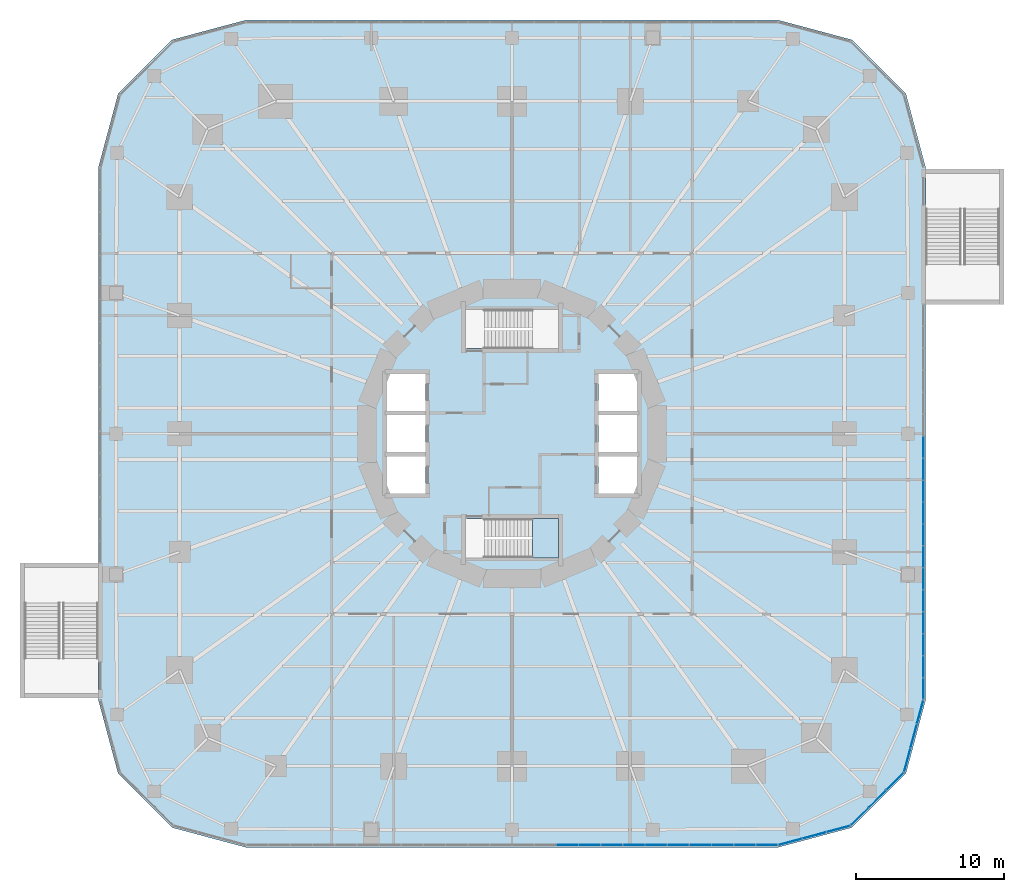
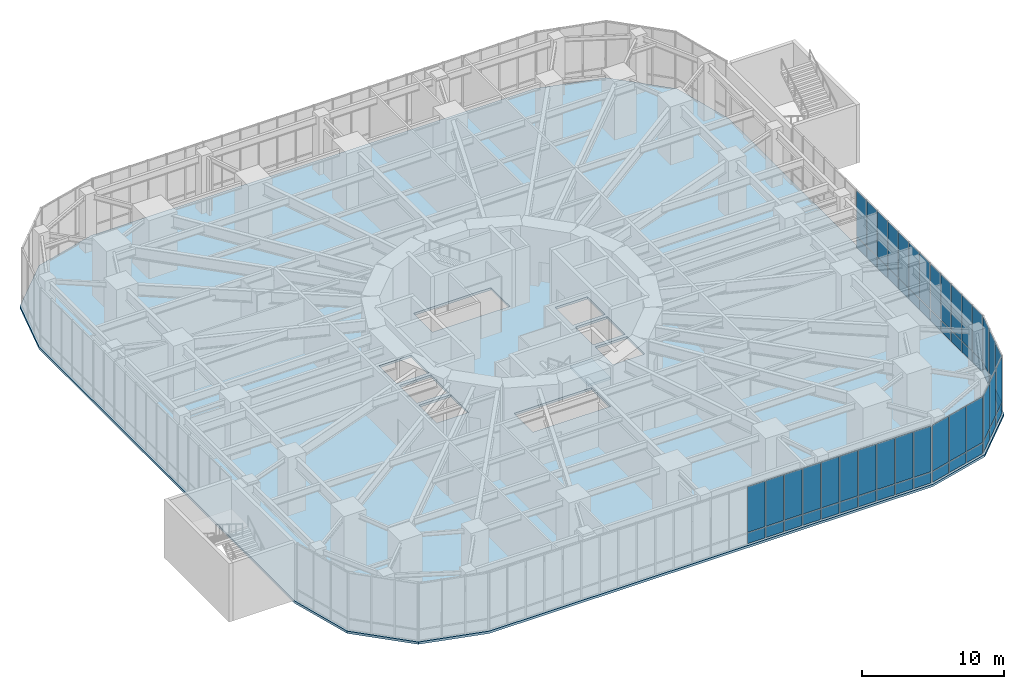
# One storey, part 17 of 24: 62 plates, 2 slabs, 6 elements without a shape of their own.
"""IFC4 building model written with IfcOpenShell, lengths in metres."""

from ifc_helpers import new_model, si_unit, direction, frame, origin, origin_2d, place, context, subcontext, project, spatial, polyline, rectangle, outline, extrude, material, layer, layer_set, type_object, element, aggregate, save


model = new_model("IFC4")

# Units and contexts
model_context = context("Model", 3, precision=1e-05, world=origin(), true_north=direction((0.0, 1.0)))
body_context = subcontext(model_context, "Body", "Model", "MODEL_VIEW")
ifc_project = project(units=[si_unit("LENGTHUNIT", "METRE"), si_unit("AREAUNIT", "SQUARE_METRE"), si_unit("VOLUMEUNIT", "CUBIC_METRE"), si_unit("PLANEANGLEUNIT", "RADIAN"), si_unit("MASSUNIT", "GRAM", prefix="KILO")], contexts=[model_context])

# Site, building, storey
site_placement = place(None, origin())
site = spatial("IfcSite", under=ifc_project, at=site_placement, CompositionType="ELEMENT")
building_placement = place(site_placement, origin())
building = spatial("IfcBuilding", under=site, at=building_placement, Name="Nakasero Lantern House", CompositionType="ELEMENT")
storey_placement = place(building_placement, frame((0.0, 0.0, 6.0)))
storey = spatial("IfcBuildingStorey", under=building, at=storey_placement, Name="L01", CompositionType="ELEMENT", Elevation=6.0)

# Slab
ifc_material_1 = material(Name="Concrete C35/45", Category="concrete")
ifc_layer_1 = layer(ifc_material_1, 0.199951171875)
ifc_layer_set_1 = layer_set([ifc_layer_1], Name="Composite floor slab 200")
slab_type_1 = type_object("IfcSlabType", Name="Composite floor slab 200", PredefinedType="FLOOR", material=ifc_layer_set_1)
slab_1_placement = place(storey_placement, frame((0.0, 0.0, -0.199951171875)))
element("IfcSlab", 1, at=slab_1_placement, inside=storey, type_object=slab_type_1, Name="Floor slab L01", PredefinedType="FLOOR", context=body_context, shape_type="SweptSolid", body=[
    extrude(outline(polyline([(28.0, 18.0), (26.66015625, 23.0), (23.0, 26.66015625), (18.0, 28.0), (-18.0, 28.0), (-23.0, 26.66015625), (-26.66015625, 23.0), (-28.0, 18.0), (-28.0, -18.0), (-26.66015625, -23.0), (-23.0, -26.66015625), (-18.0, -28.0), (18.0, -28.0), (23.0, -26.66015625), (26.66015625, -23.0), (28.0, -18.0), (28.0, 18.0)]), holes=[polyline([(-8.449951171875, -4.050048828125), (-5.85009765625, -4.050048828125), (-5.85009765625, -1.550048828125), (-8.449951171875, -1.550048828125), (-8.449951171875, -4.050048828125)]), polyline([(-8.449951171875, -1.25), (-5.85009765625, -1.25), (-5.85009765625, 1.25), (-8.449951171875, 1.25), (-8.449951171875, -1.25)]), polyline([(-8.449951171875, 1.550048828125), (-5.85009765625, 1.550048828125), (-5.85009765625, 4.050048828125), (-8.449951171875, 4.050048828125), (-8.449951171875, 1.550048828125)]), polyline([(5.85009765625, -4.050048828125), (8.449951171875, -4.050048828125), (8.449951171875, -1.550048828125), (5.85009765625, -1.550048828125), (5.85009765625, -4.050048828125)]), polyline([(5.85009765625, -1.25), (8.449951171875, -1.25), (8.449951171875, 1.25), (5.85009765625, 1.25), (5.85009765625, -1.25)]), polyline([(5.85009765625, 1.550048828125), (8.449951171875, 1.550048828125), (8.449951171875, 4.050048828125), (5.85009765625, 4.050048828125), (5.85009765625, 1.550048828125)]), polyline([(-3.14990234375, 5.75), (3.14990234375, 5.75), (3.14990234375, 8.39990234375), (-3.14990234375, 8.39990234375), (-3.14990234375, 5.75)]), polyline([(-3.14990234375, -8.39990234375), (3.14990234375, -8.39990234375), (3.14990234375, -5.75), (-3.14990234375, -5.75), (-3.14990234375, -8.39990234375)])]), origin(), (0.0, 0.0, 1.0), 0.199951171875),
])

# Curtain wall, plates
ifc_material_2 = material(Name="Aluminium 6063-T6 and glass", Category="aluminium")
curtain_wall_type = type_object("IfcCurtainWallType", Name="Podium curtain wall CW-2", PredefinedType="USERDEFINED", material=ifc_material_2)
curtain_wall_1_placement = place(storey_placement, origin())
curtain_wall_1 = element("IfcCurtainWall", 2, at=curtain_wall_1_placement, inside=storey, type_object=curtain_wall_type, Name="Curtain wall CW-2 L01", ObjectType="STICK CURTAIN WALL", PredefinedType="USERDEFINED")
ifc_material_3 = material(Name="Glass", Category="glass")
ifc_layer_2 = layer(ifc_material_3, 0.028076171875)
ifc_layer_set_2 = layer_set([ifc_layer_2], Name="Glazed panel CW-2")
plate_type = type_object("IfcPlateType", Name="Glazed panel CW-2", PredefinedType="CURTAIN_PANEL", material=ifc_layer_set_2)
plate_1_placement = place(storey_placement, frame((27.85009765625, -17.241943359375, 0.06005859375), z_axis=(0.0, 0.0, 1.0), x_axis=(0.0, 1.0, 0.0)))
plate_1 = element("IfcPlate", 3, at=plate_1_placement, type_object=plate_type, Name="CW-2 panel 1.1", PredefinedType="CURTAIN_PANEL", context=body_context, shape_type="SweptSolid", body=[
    extrude(rectangle(XDim=1.39599609375, YDim=0.028076171875, at=origin_2d()), origin(), (0.0, 0.0, 1.0), 0.909912109375),
])
plate_2_placement = place(storey_placement, frame((27.85009765625, -17.241943359375, 1.0302734375), z_axis=(0.0, 0.0, 1.0), x_axis=(0.0, 1.0, 0.0)))
plate_2 = element("IfcPlate", 4, at=plate_2_placement, type_object=plate_type, Name="CW-2 panel 1.2", PredefinedType="CURTAIN_PANEL", context=body_context, shape_type="SweptSolid", body=[
    extrude(rectangle(XDim=1.39599609375, YDim=0.028076171875, at=origin_2d()), origin(), (0.0, 0.0, 1.0), 3.909912109375),
])
plate_3_placement = place(storey_placement, frame((27.85009765625, -15.770751953125, 0.06005859375), z_axis=(0.0, 0.0, 1.0), x_axis=(0.0, 1.0, 0.0)))
plate_3 = element("IfcPlate", 5, at=plate_3_placement, type_object=plate_type, Name="CW-2 panel 2.1", PredefinedType="CURTAIN_PANEL", context=body_context, shape_type="SweptSolid", body=[
    extrude(rectangle(XDim=1.426025390625, YDim=0.028076171875, at=origin_2d()), origin(), (0.0, 0.0, 1.0), 0.909912109375),
])
plate_4_placement = place(storey_placement, frame((27.85009765625, -15.770751953125, 1.0302734375), z_axis=(0.0, 0.0, 1.0), x_axis=(0.0, 1.0, 0.0)))
plate_4 = element("IfcPlate", 6, at=plate_4_placement, type_object=plate_type, Name="CW-2 panel 2.2", PredefinedType="CURTAIN_PANEL", context=body_context, shape_type="SweptSolid", body=[
    extrude(rectangle(XDim=1.426025390625, YDim=0.028076171875, at=origin_2d()), origin(), (0.0, 0.0, 1.0), 3.909912109375),
])
plate_5_placement = place(storey_placement, frame((27.85009765625, -14.28466796875, 0.06005859375), z_axis=(0.0, 0.0, 1.0), x_axis=(0.0, 1.0, 0.0)))
plate_5 = element("IfcPlate", 7, at=plate_5_placement, type_object=plate_type, Name="CW-2 panel 3.1", PredefinedType="CURTAIN_PANEL", context=body_context, shape_type="SweptSolid", body=[
    extrude(rectangle(XDim=1.426025390625, YDim=0.028076171875, at=origin_2d()), origin(), (0.0, 0.0, 1.0), 0.909912109375),
])
plate_6_placement = place(storey_placement, frame((27.85009765625, -14.28466796875, 1.0302734375), z_axis=(0.0, 0.0, 1.0), x_axis=(0.0, 1.0, 0.0)))
plate_6 = element("IfcPlate", 8, at=plate_6_placement, type_object=plate_type, Name="CW-2 panel 3.2", PredefinedType="CURTAIN_PANEL", context=body_context, shape_type="SweptSolid", body=[
    extrude(rectangle(XDim=1.426025390625, YDim=0.028076171875, at=origin_2d()), origin(), (0.0, 0.0, 1.0), 3.909912109375),
])
plate_7_placement = place(storey_placement, frame((27.85009765625, -12.798583984375, 0.06005859375), z_axis=(0.0, 0.0, 1.0), x_axis=(0.0, 1.0, 0.0)))
plate_7 = element("IfcPlate", 9, at=plate_7_placement, type_object=plate_type, Name="CW-2 panel 4.1", PredefinedType="CURTAIN_PANEL", context=body_context, shape_type="SweptSolid", body=[
    extrude(rectangle(XDim=1.426025390625, YDim=0.028076171875, at=origin_2d()), origin(), (0.0, 0.0, 1.0), 0.909912109375),
])
plate_8_placement = place(storey_placement, frame((27.85009765625, -12.798583984375, 1.0302734375), z_axis=(0.0, 0.0, 1.0), x_axis=(0.0, 1.0, 0.0)))
plate_8 = element("IfcPlate", 10, at=plate_8_placement, type_object=plate_type, Name="CW-2 panel 4.2", PredefinedType="CURTAIN_PANEL", context=body_context, shape_type="SweptSolid", body=[
    extrude(rectangle(XDim=1.426025390625, YDim=0.028076171875, at=origin_2d()), origin(), (0.0, 0.0, 1.0), 3.909912109375),
])
plate_9_placement = place(storey_placement, frame((27.85009765625, -11.3125, 0.06005859375), z_axis=(0.0, 0.0, 1.0), x_axis=(0.0, 1.0, 0.0)))
plate_9 = element("IfcPlate", 11, at=plate_9_placement, type_object=plate_type, Name="CW-2 panel 5.1", PredefinedType="CURTAIN_PANEL", context=body_context, shape_type="SweptSolid", body=[
    extrude(rectangle(XDim=1.426025390625, YDim=0.028076171875, at=origin_2d()), origin(), (0.0, 0.0, 1.0), 0.909912109375),
])
plate_10_placement = place(storey_placement, frame((27.85009765625, -11.3125, 1.0302734375), z_axis=(0.0, 0.0, 1.0), x_axis=(0.0, 1.0, 0.0)))
plate_10 = element("IfcPlate", 12, at=plate_10_placement, type_object=plate_type, Name="CW-2 panel 5.2", PredefinedType="CURTAIN_PANEL", context=body_context, shape_type="SweptSolid", body=[
    extrude(rectangle(XDim=1.426025390625, YDim=0.028076171875, at=origin_2d()), origin(), (0.0, 0.0, 1.0), 3.909912109375),
])
plate_11_placement = place(storey_placement, frame((27.85009765625, -9.826416015625, 0.06005859375), z_axis=(0.0, 0.0, 1.0), x_axis=(0.0, 1.0, 0.0)))
plate_11 = element("IfcPlate", 13, at=plate_11_placement, type_object=plate_type, Name="CW-2 panel 6.1", PredefinedType="CURTAIN_PANEL", context=body_context, shape_type="SweptSolid", body=[
    extrude(rectangle(XDim=1.426025390625, YDim=0.028076171875, at=origin_2d()), origin(), (0.0, 0.0, 1.0), 0.909912109375),
])
plate_12_placement = place(storey_placement, frame((27.85009765625, -9.826416015625, 1.0302734375), z_axis=(0.0, 0.0, 1.0), x_axis=(0.0, 1.0, 0.0)))
plate_12 = element("IfcPlate", 14, at=plate_12_placement, type_object=plate_type, Name="CW-2 panel 6.2", PredefinedType="CURTAIN_PANEL", context=body_context, shape_type="SweptSolid", body=[
    extrude(rectangle(XDim=1.426025390625, YDim=0.028076171875, at=origin_2d()), origin(), (0.0, 0.0, 1.0), 3.909912109375),
])
plate_13_placement = place(storey_placement, frame((27.85009765625, -8.34033203125, 0.06005859375), z_axis=(0.0, 0.0, 1.0), x_axis=(0.0, 1.0, 0.0)))
plate_13 = element("IfcPlate", 15, at=plate_13_placement, type_object=plate_type, Name="CW-2 panel 7.1", PredefinedType="CURTAIN_PANEL", context=body_context, shape_type="SweptSolid", body=[
    extrude(rectangle(XDim=1.426025390625, YDim=0.028076171875, at=origin_2d()), origin(), (0.0, 0.0, 1.0), 0.909912109375),
])
plate_14_placement = place(storey_placement, frame((27.85009765625, -8.34033203125, 1.0302734375), z_axis=(0.0, 0.0, 1.0), x_axis=(0.0, 1.0, 0.0)))
plate_14 = element("IfcPlate", 16, at=plate_14_placement, type_object=plate_type, Name="CW-2 panel 7.2", PredefinedType="CURTAIN_PANEL", context=body_context, shape_type="SweptSolid", body=[
    extrude(rectangle(XDim=1.426025390625, YDim=0.028076171875, at=origin_2d()), origin(), (0.0, 0.0, 1.0), 3.909912109375),
])
plate_15_placement = place(storey_placement, frame((27.85009765625, -6.854248046875, 0.06005859375), z_axis=(0.0, 0.0, 1.0), x_axis=(0.0, 1.0, 0.0)))
plate_15 = element("IfcPlate", 17, at=plate_15_placement, type_object=plate_type, Name="CW-2 panel 8.1", PredefinedType="CURTAIN_PANEL", context=body_context, shape_type="SweptSolid", body=[
    extrude(rectangle(XDim=1.426025390625, YDim=0.028076171875, at=origin_2d()), origin(), (0.0, 0.0, 1.0), 0.909912109375),
])
plate_16_placement = place(storey_placement, frame((27.85009765625, -6.854248046875, 1.0302734375), z_axis=(0.0, 0.0, 1.0), x_axis=(0.0, 1.0, 0.0)))
plate_16 = element("IfcPlate", 18, at=plate_16_placement, type_object=plate_type, Name="CW-2 panel 8.2", PredefinedType="CURTAIN_PANEL", context=body_context, shape_type="SweptSolid", body=[
    extrude(rectangle(XDim=1.426025390625, YDim=0.028076171875, at=origin_2d()), origin(), (0.0, 0.0, 1.0), 3.909912109375),
])
plate_17_placement = place(storey_placement, frame((27.85009765625, -5.3681640625, 0.06005859375), z_axis=(0.0, 0.0, 1.0), x_axis=(0.0, 1.0, 0.0)))
plate_17 = element("IfcPlate", 19, at=plate_17_placement, type_object=plate_type, Name="CW-2 panel 9.1", PredefinedType="CURTAIN_PANEL", context=body_context, shape_type="SweptSolid", body=[
    extrude(rectangle(XDim=1.426025390625, YDim=0.028076171875, at=origin_2d()), origin(), (0.0, 0.0, 1.0), 0.909912109375),
])
plate_18_placement = place(storey_placement, frame((27.85009765625, -5.3681640625, 1.0302734375), z_axis=(0.0, 0.0, 1.0), x_axis=(0.0, 1.0, 0.0)))
plate_18 = element("IfcPlate", 20, at=plate_18_placement, type_object=plate_type, Name="CW-2 panel 9.2", PredefinedType="CURTAIN_PANEL", context=body_context, shape_type="SweptSolid", body=[
    extrude(rectangle(XDim=1.426025390625, YDim=0.028076171875, at=origin_2d()), origin(), (0.0, 0.0, 1.0), 3.909912109375),
])
plate_19_placement = place(storey_placement, frame((27.85009765625, -3.8818359375, 0.06005859375), z_axis=(0.0, 0.0, 1.0), x_axis=(0.0, 1.0, 0.0)))
plate_19 = element("IfcPlate", 21, at=plate_19_placement, type_object=plate_type, Name="CW-2 panel 10.1", PredefinedType="CURTAIN_PANEL", context=body_context, shape_type="SweptSolid", body=[
    extrude(rectangle(XDim=1.426025390625, YDim=0.028076171875, at=origin_2d()), origin(), (0.0, 0.0, 1.0), 0.909912109375),
])
plate_20_placement = place(storey_placement, frame((27.85009765625, -3.8818359375, 1.0302734375), z_axis=(0.0, 0.0, 1.0), x_axis=(0.0, 1.0, 0.0)))
plate_20 = element("IfcPlate", 22, at=plate_20_placement, type_object=plate_type, Name="CW-2 panel 10.2", PredefinedType="CURTAIN_PANEL", context=body_context, shape_type="SweptSolid", body=[
    extrude(rectangle(XDim=1.426025390625, YDim=0.028076171875, at=origin_2d()), origin(), (0.0, 0.0, 1.0), 3.909912109375),
])
plate_21_placement = place(storey_placement, frame((27.85009765625, -2.395751953125, 0.06005859375), z_axis=(0.0, 0.0, 1.0), x_axis=(0.0, 1.0, 0.0)))
plate_21 = element("IfcPlate", 23, at=plate_21_placement, type_object=plate_type, Name="CW-2 panel 11.1", PredefinedType="CURTAIN_PANEL", context=body_context, shape_type="SweptSolid", body=[
    extrude(rectangle(XDim=1.426025390625, YDim=0.028076171875, at=origin_2d()), origin(), (0.0, 0.0, 1.0), 0.909912109375),
])
plate_22_placement = place(storey_placement, frame((27.85009765625, -2.395751953125, 1.0302734375), z_axis=(0.0, 0.0, 1.0), x_axis=(0.0, 1.0, 0.0)))
plate_22 = element("IfcPlate", 24, at=plate_22_placement, type_object=plate_type, Name="CW-2 panel 11.2", PredefinedType="CURTAIN_PANEL", context=body_context, shape_type="SweptSolid", body=[
    extrude(rectangle(XDim=1.426025390625, YDim=0.028076171875, at=origin_2d()), origin(), (0.0, 0.0, 1.0), 3.909912109375),
])
plate_23_placement = place(storey_placement, frame((27.85009765625, -0.90966796875, 0.06005859375), z_axis=(0.0, 0.0, 1.0), x_axis=(0.0, 1.0, 0.0)))
plate_23 = element("IfcPlate", 25, at=plate_23_placement, type_object=plate_type, Name="CW-2 panel 12.1", PredefinedType="CURTAIN_PANEL", context=body_context, shape_type="SweptSolid", body=[
    extrude(rectangle(XDim=1.426025390625, YDim=0.028076171875, at=origin_2d()), origin(), (0.0, 0.0, 1.0), 0.909912109375),
])
plate_24_placement = place(storey_placement, frame((27.85009765625, -0.90966796875, 1.0302734375), z_axis=(0.0, 0.0, 1.0), x_axis=(0.0, 1.0, 0.0)))
plate_24 = element("IfcPlate", 26, at=plate_24_placement, type_object=plate_type, Name="CW-2 panel 12.2", PredefinedType="CURTAIN_PANEL", context=body_context, shape_type="SweptSolid", body=[
    extrude(rectangle(XDim=1.426025390625, YDim=0.028076171875, at=origin_2d()), origin(), (0.0, 0.0, 1.0), 3.909912109375),
])
aggregate(curtain_wall_1, [plate_1, plate_2, plate_3, plate_4, plate_5, plate_6, plate_7, plate_8, plate_9, plate_10, plate_11, plate_12, plate_13, plate_14, plate_15, plate_16, plate_17, plate_18, plate_19, plate_20, plate_21, plate_22, plate_23, plate_24])

curtain_wall_2_placement = place(storey_placement, origin())
curtain_wall_2 = element("IfcCurtainWall", 27, at=curtain_wall_2_placement, inside=storey, type_object=curtain_wall_type, Name="Curtain wall CW-2 L01", ObjectType="STICK CURTAIN WALL", PredefinedType="USERDEFINED")
plate_25_placement = place(storey_placement, frame((3.75, -27.85009765625, 0.06005859375), z_axis=(0.0, 0.0, 1.0), x_axis=(1.0, 0.0, 0.0)))
plate_25 = element("IfcPlate", 28, at=plate_25_placement, type_object=plate_type, Name="CW-2 panel 15.1", PredefinedType="CURTAIN_PANEL", context=body_context, shape_type="SweptSolid", body=[
    extrude(rectangle(XDim=1.43994140625, YDim=0.028076171875, at=origin_2d()), origin(), (0.0, 0.0, 1.0), 0.909912109375),
])
plate_26_placement = place(storey_placement, frame((3.75, -27.85009765625, 1.0302734375), z_axis=(0.0, 0.0, 1.0), x_axis=(1.0, 0.0, 0.0)))
plate_26 = element("IfcPlate", 29, at=plate_26_placement, type_object=plate_type, Name="CW-2 panel 15.2", PredefinedType="CURTAIN_PANEL", context=body_context, shape_type="SweptSolid", body=[
    extrude(rectangle(XDim=1.43994140625, YDim=0.028076171875, at=origin_2d()), origin(), (0.0, 0.0, 1.0), 3.909912109375),
])
plate_27_placement = place(storey_placement, frame((5.25, -27.85009765625, 0.06005859375), z_axis=(0.0, 0.0, 1.0), x_axis=(1.0, 0.0, 0.0)))
plate_27 = element("IfcPlate", 30, at=plate_27_placement, type_object=plate_type, Name="CW-2 panel 16.1", PredefinedType="CURTAIN_PANEL", context=body_context, shape_type="SweptSolid", body=[
    extrude(rectangle(XDim=1.43994140625, YDim=0.028076171875, at=origin_2d()), origin(), (0.0, 0.0, 1.0), 0.909912109375),
])
plate_28_placement = place(storey_placement, frame((5.25, -27.85009765625, 1.0302734375), z_axis=(0.0, 0.0, 1.0), x_axis=(1.0, 0.0, 0.0)))
plate_28 = element("IfcPlate", 31, at=plate_28_placement, type_object=plate_type, Name="CW-2 panel 16.2", PredefinedType="CURTAIN_PANEL", context=body_context, shape_type="SweptSolid", body=[
    extrude(rectangle(XDim=1.43994140625, YDim=0.028076171875, at=origin_2d()), origin(), (0.0, 0.0, 1.0), 3.909912109375),
])
plate_29_placement = place(storey_placement, frame((6.75, -27.85009765625, 0.06005859375), z_axis=(0.0, 0.0, 1.0), x_axis=(1.0, 0.0, 0.0)))
plate_29 = element("IfcPlate", 32, at=plate_29_placement, type_object=plate_type, Name="CW-2 panel 17.1", PredefinedType="CURTAIN_PANEL", context=body_context, shape_type="SweptSolid", body=[
    extrude(rectangle(XDim=1.43994140625, YDim=0.028076171875, at=origin_2d()), origin(), (0.0, 0.0, 1.0), 0.909912109375),
])
plate_30_placement = place(storey_placement, frame((6.75, -27.85009765625, 1.0302734375), z_axis=(0.0, 0.0, 1.0), x_axis=(1.0, 0.0, 0.0)))
plate_30 = element("IfcPlate", 33, at=plate_30_placement, type_object=plate_type, Name="CW-2 panel 17.2", PredefinedType="CURTAIN_PANEL", context=body_context, shape_type="SweptSolid", body=[
    extrude(rectangle(XDim=1.43994140625, YDim=0.028076171875, at=origin_2d()), origin(), (0.0, 0.0, 1.0), 3.909912109375),
])
plate_31_placement = place(storey_placement, frame((8.25, -27.85009765625, 0.06005859375), z_axis=(0.0, 0.0, 1.0), x_axis=(1.0, 0.0, 0.0)))
plate_31 = element("IfcPlate", 34, at=plate_31_placement, type_object=plate_type, Name="CW-2 panel 18.1", PredefinedType="CURTAIN_PANEL", context=body_context, shape_type="SweptSolid", body=[
    extrude(rectangle(XDim=1.43994140625, YDim=0.028076171875, at=origin_2d()), origin(), (0.0, 0.0, 1.0), 0.909912109375),
])
plate_32_placement = place(storey_placement, frame((8.25, -27.85009765625, 1.0302734375), z_axis=(0.0, 0.0, 1.0), x_axis=(1.0, 0.0, 0.0)))
plate_32 = element("IfcPlate", 35, at=plate_32_placement, type_object=plate_type, Name="CW-2 panel 18.2", PredefinedType="CURTAIN_PANEL", context=body_context, shape_type="SweptSolid", body=[
    extrude(rectangle(XDim=1.43994140625, YDim=0.028076171875, at=origin_2d()), origin(), (0.0, 0.0, 1.0), 3.909912109375),
])
plate_33_placement = place(storey_placement, frame((9.75, -27.85009765625, 0.06005859375), z_axis=(0.0, 0.0, 1.0), x_axis=(1.0, 0.0, 0.0)))
plate_33 = element("IfcPlate", 36, at=plate_33_placement, type_object=plate_type, Name="CW-2 panel 19.1", PredefinedType="CURTAIN_PANEL", context=body_context, shape_type="SweptSolid", body=[
    extrude(rectangle(XDim=1.43994140625, YDim=0.028076171875, at=origin_2d()), origin(), (0.0, 0.0, 1.0), 0.909912109375),
])
plate_34_placement = place(storey_placement, frame((9.75, -27.85009765625, 1.0302734375), z_axis=(0.0, 0.0, 1.0), x_axis=(1.0, 0.0, 0.0)))
plate_34 = element("IfcPlate", 37, at=plate_34_placement, type_object=plate_type, Name="CW-2 panel 19.2", PredefinedType="CURTAIN_PANEL", context=body_context, shape_type="SweptSolid", body=[
    extrude(rectangle(XDim=1.43994140625, YDim=0.028076171875, at=origin_2d()), origin(), (0.0, 0.0, 1.0), 3.909912109375),
])
plate_35_placement = place(storey_placement, frame((11.25, -27.85009765625, 0.06005859375), z_axis=(0.0, 0.0, 1.0), x_axis=(1.0, 0.0, 0.0)))
plate_35 = element("IfcPlate", 38, at=plate_35_placement, type_object=plate_type, Name="CW-2 panel 20.1", PredefinedType="CURTAIN_PANEL", context=body_context, shape_type="SweptSolid", body=[
    extrude(rectangle(XDim=1.43994140625, YDim=0.028076171875, at=origin_2d()), origin(), (0.0, 0.0, 1.0), 0.909912109375),
])
plate_36_placement = place(storey_placement, frame((11.25, -27.85009765625, 1.0302734375), z_axis=(0.0, 0.0, 1.0), x_axis=(1.0, 0.0, 0.0)))
plate_36 = element("IfcPlate", 39, at=plate_36_placement, type_object=plate_type, Name="CW-2 panel 20.2", PredefinedType="CURTAIN_PANEL", context=body_context, shape_type="SweptSolid", body=[
    extrude(rectangle(XDim=1.43994140625, YDim=0.028076171875, at=origin_2d()), origin(), (0.0, 0.0, 1.0), 3.909912109375),
])
plate_37_placement = place(storey_placement, frame((12.75, -27.85009765625, 0.06005859375), z_axis=(0.0, 0.0, 1.0), x_axis=(1.0, 0.0, 0.0)))
plate_37 = element("IfcPlate", 40, at=plate_37_placement, type_object=plate_type, Name="CW-2 panel 21.1", PredefinedType="CURTAIN_PANEL", context=body_context, shape_type="SweptSolid", body=[
    extrude(rectangle(XDim=1.43994140625, YDim=0.028076171875, at=origin_2d()), origin(), (0.0, 0.0, 1.0), 0.909912109375),
])
plate_38_placement = place(storey_placement, frame((12.75, -27.85009765625, 1.0302734375), z_axis=(0.0, 0.0, 1.0), x_axis=(1.0, 0.0, 0.0)))
plate_38 = element("IfcPlate", 41, at=plate_38_placement, type_object=plate_type, Name="CW-2 panel 21.2", PredefinedType="CURTAIN_PANEL", context=body_context, shape_type="SweptSolid", body=[
    extrude(rectangle(XDim=1.43994140625, YDim=0.028076171875, at=origin_2d()), origin(), (0.0, 0.0, 1.0), 3.909912109375),
])
plate_39_placement = place(storey_placement, frame((14.25, -27.85009765625, 0.06005859375), z_axis=(0.0, 0.0, 1.0), x_axis=(1.0, 0.0, 0.0)))
plate_39 = element("IfcPlate", 42, at=plate_39_placement, type_object=plate_type, Name="CW-2 panel 22.1", PredefinedType="CURTAIN_PANEL", context=body_context, shape_type="SweptSolid", body=[
    extrude(rectangle(XDim=1.43994140625, YDim=0.028076171875, at=origin_2d()), origin(), (0.0, 0.0, 1.0), 0.909912109375),
])
plate_40_placement = place(storey_placement, frame((14.25, -27.85009765625, 1.0302734375), z_axis=(0.0, 0.0, 1.0), x_axis=(1.0, 0.0, 0.0)))
plate_40 = element("IfcPlate", 43, at=plate_40_placement, type_object=plate_type, Name="CW-2 panel 22.2", PredefinedType="CURTAIN_PANEL", context=body_context, shape_type="SweptSolid", body=[
    extrude(rectangle(XDim=1.43994140625, YDim=0.028076171875, at=origin_2d()), origin(), (0.0, 0.0, 1.0), 3.909912109375),
])
plate_41_placement = place(storey_placement, frame((15.75, -27.85009765625, 0.06005859375), z_axis=(0.0, 0.0, 1.0), x_axis=(1.0, 0.0, 0.0)))
plate_41 = element("IfcPlate", 44, at=plate_41_placement, type_object=plate_type, Name="CW-2 panel 23.1", PredefinedType="CURTAIN_PANEL", context=body_context, shape_type="SweptSolid", body=[
    extrude(rectangle(XDim=1.43994140625, YDim=0.028076171875, at=origin_2d()), origin(), (0.0, 0.0, 1.0), 0.909912109375),
])
plate_42_placement = place(storey_placement, frame((15.75, -27.85009765625, 1.0302734375), z_axis=(0.0, 0.0, 1.0), x_axis=(1.0, 0.0, 0.0)))
plate_42 = element("IfcPlate", 45, at=plate_42_placement, type_object=plate_type, Name="CW-2 panel 23.2", PredefinedType="CURTAIN_PANEL", context=body_context, shape_type="SweptSolid", body=[
    extrude(rectangle(XDim=1.43994140625, YDim=0.028076171875, at=origin_2d()), origin(), (0.0, 0.0, 1.0), 3.909912109375),
])
plate_43_placement = place(storey_placement, frame((17.235107421875, -27.85009765625, 0.06005859375), z_axis=(0.0, 0.0, 1.0), x_axis=(1.0, 0.0, 0.0)))
plate_43 = element("IfcPlate", 46, at=plate_43_placement, type_object=plate_type, Name="CW-2 panel 24.1", PredefinedType="CURTAIN_PANEL", context=body_context, shape_type="SweptSolid", body=[
    extrude(rectangle(XDim=1.409912109375, YDim=0.028076171875, at=origin_2d()), origin(), (0.0, 0.0, 1.0), 0.909912109375),
])
plate_44_placement = place(storey_placement, frame((17.235107421875, -27.85009765625, 1.0302734375), z_axis=(0.0, 0.0, 1.0), x_axis=(1.0, 0.0, 0.0)))
plate_44 = element("IfcPlate", 47, at=plate_44_placement, type_object=plate_type, Name="CW-2 panel 24.2", PredefinedType="CURTAIN_PANEL", context=body_context, shape_type="SweptSolid", body=[
    extrude(rectangle(XDim=1.409912109375, YDim=0.028076171875, at=origin_2d()), origin(), (0.0, 0.0, 1.0), 3.909912109375),
])
aggregate(curtain_wall_2, [plate_25, plate_26, plate_27, plate_28, plate_29, plate_30, plate_31, plate_32, plate_33, plate_34, plate_35, plate_36, plate_37, plate_38, plate_39, plate_40, plate_41, plate_42, plate_43, plate_44])

curtain_wall_3_placement = place(storey_placement, origin())
curtain_wall_3 = element("IfcCurtainWall", 48, at=curtain_wall_3_placement, inside=storey, type_object=curtain_wall_type, Name="Curtain wall CW-2 L01", ObjectType="STICK CURTAIN WALL", PredefinedType="USERDEFINED")
plate_45_placement = place(storey_placement, frame((18.835205078125, -27.626220703125, 0.06005859375), z_axis=(0.0, 0.0, 1.0), x_axis=(0.965925826276, 0.258819045153, 0.0)))
plate_45 = element("IfcPlate", 49, at=plate_45_placement, type_object=plate_type, Name="CW-2 panel 1.1", PredefinedType="CURTAIN_PANEL", context=body_context, shape_type="SweptSolid", body=[
    extrude(rectangle(XDim=1.609619140625, YDim=0.028076171875, at=origin_2d()), origin(), (0.0, 0.0, 1.0), 0.909912109375),
])
plate_46_placement = place(storey_placement, frame((18.835205078125, -27.626220703125, 1.0302734375), z_axis=(0.0, 0.0, 1.0), x_axis=(0.965925826276, 0.258819045153, 0.0)))
plate_46 = element("IfcPlate", 50, at=plate_46_placement, type_object=plate_type, Name="CW-2 panel 1.2", PredefinedType="CURTAIN_PANEL", context=body_context, shape_type="SweptSolid", body=[
    extrude(rectangle(XDim=1.609619140625, YDim=0.028076171875, at=origin_2d()), origin(), (0.0, 0.0, 1.0), 3.909912109375),
])
plate_47_placement = place(storey_placement, frame((20.46240234375, -27.190185546875, 0.06005859375), z_axis=(0.0, 0.0, 1.0), x_axis=(0.965925826276, 0.258819045153, 0.0)))
plate_47 = element("IfcPlate", 51, at=plate_47_placement, type_object=plate_type, Name="CW-2 panel 2.1", PredefinedType="CURTAIN_PANEL", context=body_context, shape_type="SweptSolid", body=[
    extrude(rectangle(XDim=1.6396484375, YDim=0.028076171875, at=origin_2d()), origin(), (0.0, 0.0, 1.0), 0.909912109375),
])
plate_48_placement = place(storey_placement, frame((20.46240234375, -27.190185546875, 1.0302734375), z_axis=(0.0, 0.0, 1.0), x_axis=(0.965925826276, 0.258819045153, 0.0)))
plate_48 = element("IfcPlate", 52, at=plate_48_placement, type_object=plate_type, Name="CW-2 panel 2.2", PredefinedType="CURTAIN_PANEL", context=body_context, shape_type="SweptSolid", body=[
    extrude(rectangle(XDim=1.6396484375, YDim=0.028076171875, at=origin_2d()), origin(), (0.0, 0.0, 1.0), 3.909912109375),
])
plate_49_placement = place(storey_placement, frame((22.089599609375, -26.754150390625, 0.06005859375), z_axis=(0.0, 0.0, 1.0), x_axis=(0.965925826276, 0.258819045153, 0.0)))
plate_49 = element("IfcPlate", 53, at=plate_49_placement, type_object=plate_type, Name="CW-2 panel 3.1", PredefinedType="CURTAIN_PANEL", context=body_context, shape_type="SweptSolid", body=[
    extrude(rectangle(XDim=1.609619140625, YDim=0.028076171875, at=origin_2d()), origin(), (0.0, 0.0, 1.0), 0.909912109375),
])
plate_50_placement = place(storey_placement, frame((22.089599609375, -26.754150390625, 1.0302734375), z_axis=(0.0, 0.0, 1.0), x_axis=(0.965925826276, 0.258819045153, 0.0)))
plate_50 = element("IfcPlate", 54, at=plate_50_placement, type_object=plate_type, Name="CW-2 panel 3.2", PredefinedType="CURTAIN_PANEL", context=body_context, shape_type="SweptSolid", body=[
    extrude(rectangle(XDim=1.609619140625, YDim=0.028076171875, at=origin_2d()), origin(), (0.0, 0.0, 1.0), 3.909912109375),
])
aggregate(curtain_wall_3, [plate_45, plate_46, plate_47, plate_48, plate_49, plate_50])

curtain_wall_4_placement = place(storey_placement, origin())
curtain_wall_4 = element("IfcCurtainWall", 55, at=curtain_wall_4_placement, inside=storey, type_object=curtain_wall_type, Name="Curtain wall CW-2 L01", ObjectType="STICK CURTAIN WALL", PredefinedType="USERDEFINED")
plate_51_placement = place(storey_placement, frame((23.536376953125, -25.9189453125, 0.06005859375), z_axis=(0.0, 0.0, 1.0), x_axis=(0.707106781187, 0.707106781187, 0.0)))
plate_51 = element("IfcPlate", 56, at=plate_51_placement, type_object=plate_type, Name="CW-2 panel 1.1", PredefinedType="CURTAIN_PANEL", context=body_context, shape_type="SweptSolid", body=[
    extrude(rectangle(XDim=1.609619140625, YDim=0.028076171875, at=origin_2d()), origin(), (0.0, 0.0, 1.0), 0.909912109375),
])
plate_52_placement = place(storey_placement, frame((23.536376953125, -25.9189453125, 1.0302734375), z_axis=(0.0, 0.0, 1.0), x_axis=(0.707106781187, 0.707106781187, 0.0)))
plate_52 = element("IfcPlate", 57, at=plate_52_placement, type_object=plate_type, Name="CW-2 panel 1.2", PredefinedType="CURTAIN_PANEL", context=body_context, shape_type="SweptSolid", body=[
    extrude(rectangle(XDim=1.609619140625, YDim=0.028076171875, at=origin_2d()), origin(), (0.0, 0.0, 1.0), 3.909912109375),
])
plate_53_placement = place(storey_placement, frame((24.727783203125, -24.727783203125, 0.06005859375), z_axis=(0.0, 0.0, 1.0), x_axis=(0.707106781187, 0.707106781187, 0.0)))
plate_53 = element("IfcPlate", 58, at=plate_53_placement, type_object=plate_type, Name="CW-2 panel 2.1", PredefinedType="CURTAIN_PANEL", context=body_context, shape_type="SweptSolid", body=[
    extrude(rectangle(XDim=1.6396484375, YDim=0.028076171875, at=origin_2d()), origin(), (0.0, 0.0, 1.0), 0.909912109375),
])
plate_54_placement = place(storey_placement, frame((24.727783203125, -24.727783203125, 1.0302734375), z_axis=(0.0, 0.0, 1.0), x_axis=(0.707106781187, 0.707106781187, 0.0)))
plate_54 = element("IfcPlate", 59, at=plate_54_placement, type_object=plate_type, Name="CW-2 panel 2.2", PredefinedType="CURTAIN_PANEL", context=body_context, shape_type="SweptSolid", body=[
    extrude(rectangle(XDim=1.6396484375, YDim=0.028076171875, at=origin_2d()), origin(), (0.0, 0.0, 1.0), 3.909912109375),
])
plate_55_placement = place(storey_placement, frame((25.9189453125, -23.536376953125, 0.06005859375), z_axis=(0.0, 0.0, 1.0), x_axis=(0.707106781187, 0.707106781187, 0.0)))
plate_55 = element("IfcPlate", 60, at=plate_55_placement, type_object=plate_type, Name="CW-2 panel 3.1", PredefinedType="CURTAIN_PANEL", context=body_context, shape_type="SweptSolid", body=[
    extrude(rectangle(XDim=1.609619140625, YDim=0.028076171875, at=origin_2d()), origin(), (0.0, 0.0, 1.0), 0.909912109375),
])
plate_56_placement = place(storey_placement, frame((25.9189453125, -23.536376953125, 1.0302734375), z_axis=(0.0, 0.0, 1.0), x_axis=(0.707106781187, 0.707106781187, 0.0)))
plate_56 = element("IfcPlate", 61, at=plate_56_placement, type_object=plate_type, Name="CW-2 panel 3.2", PredefinedType="CURTAIN_PANEL", context=body_context, shape_type="SweptSolid", body=[
    extrude(rectangle(XDim=1.609619140625, YDim=0.028076171875, at=origin_2d()), origin(), (0.0, 0.0, 1.0), 3.909912109375),
])
aggregate(curtain_wall_4, [plate_51, plate_52, plate_53, plate_54, plate_55, plate_56])

curtain_wall_5_placement = place(storey_placement, origin())
curtain_wall_5 = element("IfcCurtainWall", 62, at=curtain_wall_5_placement, inside=storey, type_object=curtain_wall_type, Name="Curtain wall CW-2 L01", ObjectType="STICK CURTAIN WALL", PredefinedType="USERDEFINED")
plate_57_placement = place(storey_placement, frame((26.754150390625, -22.089599609375, 0.06005859375), z_axis=(0.0, 0.0, 1.0), x_axis=(0.258819045153, 0.965925826276, 0.0)))
plate_57 = element("IfcPlate", 63, at=plate_57_placement, type_object=plate_type, Name="CW-2 panel 1.1", PredefinedType="CURTAIN_PANEL", context=body_context, shape_type="SweptSolid", body=[
    extrude(rectangle(XDim=1.609619140625, YDim=0.028076171875, at=origin_2d()), origin(), (0.0, 0.0, 1.0), 0.909912109375),
])
plate_58_placement = place(storey_placement, frame((26.754150390625, -22.089599609375, 1.0302734375), z_axis=(0.0, 0.0, 1.0), x_axis=(0.258819045153, 0.965925826276, 0.0)))
plate_58 = element("IfcPlate", 64, at=plate_58_placement, type_object=plate_type, Name="CW-2 panel 1.2", PredefinedType="CURTAIN_PANEL", context=body_context, shape_type="SweptSolid", body=[
    extrude(rectangle(XDim=1.609619140625, YDim=0.028076171875, at=origin_2d()), origin(), (0.0, 0.0, 1.0), 3.909912109375),
])
plate_59_placement = place(storey_placement, frame((27.190185546875, -20.46240234375, 0.06005859375), z_axis=(0.0, 0.0, 1.0), x_axis=(0.258819045153, 0.965925826276, 0.0)))
plate_59 = element("IfcPlate", 65, at=plate_59_placement, type_object=plate_type, Name="CW-2 panel 2.1", PredefinedType="CURTAIN_PANEL", context=body_context, shape_type="SweptSolid", body=[
    extrude(rectangle(XDim=1.6396484375, YDim=0.028076171875, at=origin_2d()), origin(), (0.0, 0.0, 1.0), 0.909912109375),
])
plate_60_placement = place(storey_placement, frame((27.190185546875, -20.46240234375, 1.0302734375), z_axis=(0.0, 0.0, 1.0), x_axis=(0.258819045153, 0.965925826276, 0.0)))
plate_60 = element("IfcPlate", 66, at=plate_60_placement, type_object=plate_type, Name="CW-2 panel 2.2", PredefinedType="CURTAIN_PANEL", context=body_context, shape_type="SweptSolid", body=[
    extrude(rectangle(XDim=1.6396484375, YDim=0.028076171875, at=origin_2d()), origin(), (0.0, 0.0, 1.0), 3.909912109375),
])
plate_61_placement = place(storey_placement, frame((27.626220703125, -18.835205078125, 0.06005859375), z_axis=(0.0, 0.0, 1.0), x_axis=(0.258819045153, 0.965925826276, 0.0)))
plate_61 = element("IfcPlate", 67, at=plate_61_placement, type_object=plate_type, Name="CW-2 panel 3.1", PredefinedType="CURTAIN_PANEL", context=body_context, shape_type="SweptSolid", body=[
    extrude(rectangle(XDim=1.609619140625, YDim=0.028076171875, at=origin_2d()), origin(), (0.0, 0.0, 1.0), 0.909912109375),
])
plate_62_placement = place(storey_placement, frame((27.626220703125, -18.835205078125, 1.0302734375), z_axis=(0.0, 0.0, 1.0), x_axis=(0.258819045153, 0.965925826276, 0.0)))
plate_62 = element("IfcPlate", 68, at=plate_62_placement, type_object=plate_type, Name="CW-2 panel 3.2", PredefinedType="CURTAIN_PANEL", context=body_context, shape_type="SweptSolid", body=[
    extrude(rectangle(XDim=1.609619140625, YDim=0.028076171875, at=origin_2d()), origin(), (0.0, 0.0, 1.0), 3.909912109375),
])
aggregate(curtain_wall_5, [plate_57, plate_58, plate_59, plate_60, plate_61, plate_62])

# Stair, slab
ifc_material_4 = material(Name="Concrete C40/50", Category="concrete")
stair_type = type_object("IfcStairType", Name="Escape stair ST2 28 risers", PredefinedType="HALF_TURN_STAIR", material=ifc_material_4)
stair_placement = place(storey_placement, origin())
stair = element("IfcStair", 69, at=stair_placement, inside=storey, type_object=stair_type, Name="Escape stair ST2 L01", PredefinedType="HALF_TURN_STAIR")
ifc_material_5 = material(Name="Concrete C40/50", Category="concrete")
ifc_layer_3 = layer(ifc_material_5, 0.199951171875)
ifc_layer_set_3 = layer_set([ifc_layer_3], Name="Stair landing 200")
slab_type_2 = type_object("IfcSlabType", Name="Stair landing 200", PredefinedType="LANDING", material=ifc_layer_set_3)
slab_2_placement = place(storey_placement, frame((0.0, 0.0, 2.300048828125)))
slab_2 = element("IfcSlab", 70, at=slab_2_placement, type_object=slab_type_2, Name="ST2 landing 2", PredefinedType="LANDING", context=body_context, shape_type="SweptSolid", body=[
    extrude(outline(polyline([(1.375, -8.39990234375), (3.14990234375, -8.39990234375), (3.14990234375, -5.75), (1.375, -5.75), (1.375, -8.39990234375)])), origin(), (0.0, 0.0, 1.0), 0.199951171875),
])
aggregate(stair, [slab_2])

save(model, "model.ifc")
